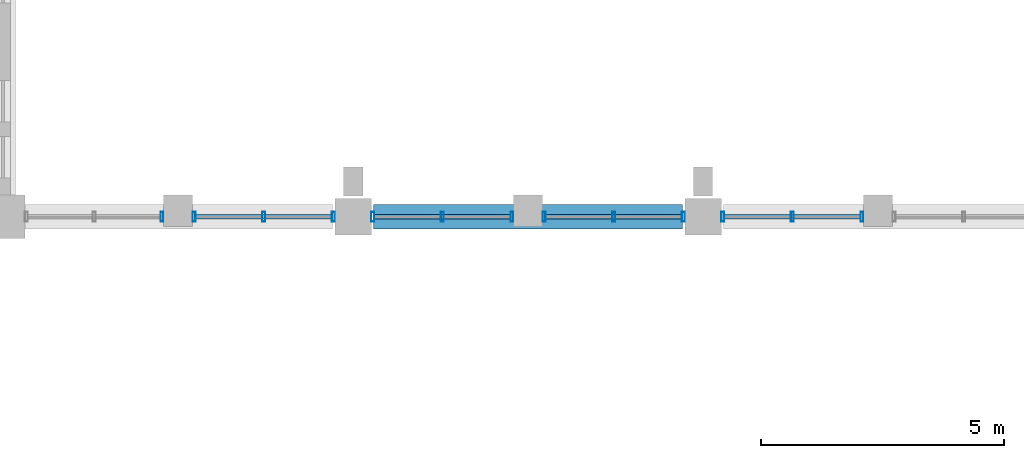
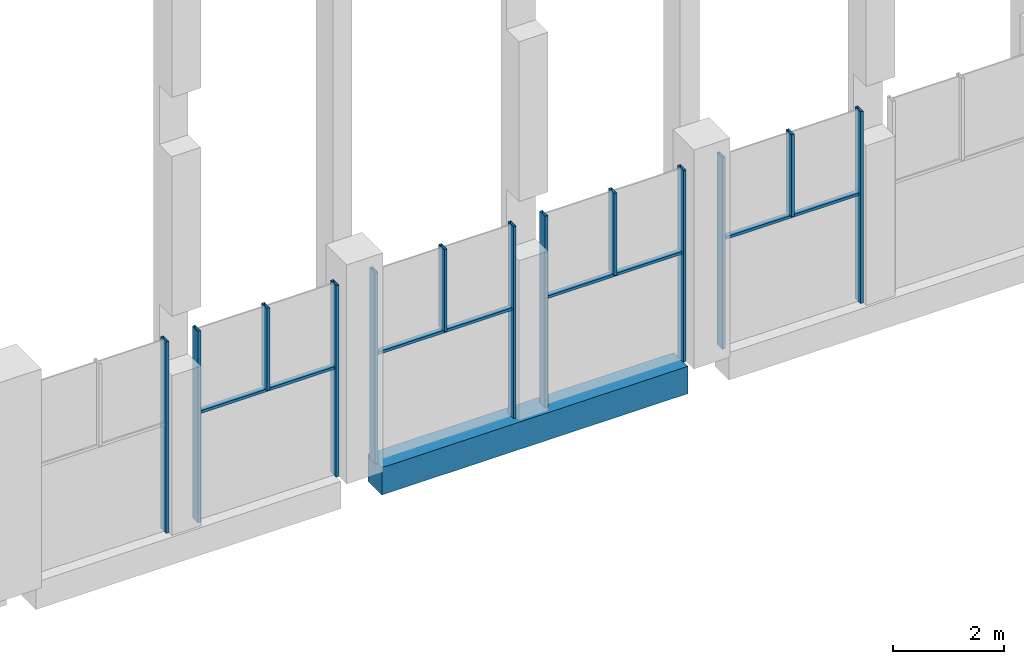
# One storey, part 13 of 40: 17 members, 1 beam, 5 elements without a shape of their own.
"""IFC4 building model written with IfcOpenShell, lengths in metres."""

from ifc_helpers import new_model, si_unit, direction, frame, origin, origin_2d, place, context, subcontext, project, spatial, rectangle, hollow_rectangle, extrude, material, material_profile, profile_set, type_object, element, aggregate, save


model = new_model("IFC4")

# Units and contexts
model_context = context("Model", 3, precision=1e-05, world=origin(), true_north=direction((0.0, 1.0)))
body_context = subcontext(model_context, "Body", "Model", "MODEL_VIEW")
ifc_project = project(units=[si_unit("LENGTHUNIT", "METRE"), si_unit("AREAUNIT", "SQUARE_METRE"), si_unit("VOLUMEUNIT", "CUBIC_METRE"), si_unit("PLANEANGLEUNIT", "RADIAN"), si_unit("MASSUNIT", "GRAM", prefix="KILO")], contexts=[model_context])

# Site, building, storey
site_placement = place(None, origin())
site = spatial("IfcSite", under=ifc_project, at=site_placement, CompositionType="ELEMENT")
building_placement = place(site_placement, origin())
building = spatial("IfcBuilding", under=site, at=building_placement, Name="Silangan Lancet Faculty of Sciences", CompositionType="ELEMENT")
storey_placement = place(building_placement, frame((0.0, 0.0, 21.60009765625)))
storey = spatial("IfcBuildingStorey", under=building, at=storey_placement, Name="L04", CompositionType="ELEMENT", Elevation=21.60009765625)

# Beam
ifc_material_1 = material(Name="Concrete C40/50", Category="concrete")
ifc_material_profile_1 = material_profile(ifc_material_1, rectangle(XDim=0.5, YDim=0.60009765625, at=origin_2d()), Name="RC 500x600")
ifc_profile_set_1 = profile_set([ifc_material_profile_1], Name="Concrete C40/50")
beam_type = type_object("IfcBeamType", Name="BEAM RC 500x600", PredefinedType="BEAM", material=ifc_profile_set_1)
beam_placement = place(storey_placement, frame((36.425048828125, 36.0, -0.300048828125), z_axis=(1.0, 0.0, 0.0), x_axis=(0.0, 1.0, 0.0)))
element("IfcBeam", 1, at=beam_placement, inside=storey, type_object=beam_type, Name="BM-L04-6F-7F", PredefinedType="BEAM", context=body_context, shape_type="SweptSolid", body=[
    extrude(rectangle(XDim=0.5, YDim=0.60009765625, at=origin_2d()), origin(), (0.0, 0.0, 1.0), 6.349853515625),
])

# Curtain wall, members
ifc_material_2 = material(Name="Aluminium framed curtain wall with insulated glass", Category="aluminium")
curtain_wall_type = type_object("IfcCurtainWallType", Name="CW5 Nave north light glazing", PredefinedType="NOTDEFINED", material=ifc_material_2)
curtain_wall_1_placement = place(storey_placement, origin())
curtain_wall_1 = element("IfcCurtainWall", 2, at=curtain_wall_1_placement, inside=storey, type_object=curtain_wall_type, Name="CW5 Nave north lights L04 bay 2", PredefinedType="NOTDEFINED")
ifc_material_3 = material(Name="Aluminium 6063-T6 extrusion", Category="aluminium")
ifc_material_profile_2 = material_profile(ifc_material_3, hollow_rectangle(XDim=0.06005859375, YDim=0.199951171875, WallThickness=0.00390625, at=origin_2d()), Name="AL BOX 60x200x4")
ifc_profile_set_2 = profile_set([ifc_material_profile_2], Name="Aluminium 6063-T6 extrusion")
member_type_1 = type_object("IfcMemberType", Name="CM1 Mullion 60x200", PredefinedType="MULLION", material=ifc_profile_set_2)
member_1_placement = place(storey_placement, frame((46.469970703125, 36.0, 0.0), z_axis=(0.0, 0.0, 1.0), x_axis=(-1.0, 0.0, 0.0)))
member_1 = element("IfcMember", 3, at=member_1_placement, type_object=member_type_1, Name="CW5 Nave north lights L04 bay 2 mullion 1", PredefinedType="MULLION", context=body_context, shape_type="SweptSolid", body=[
    extrude(hollow_rectangle(XDim=0.06005859375, YDim=0.199951171875, WallThickness=0.00390625, at=origin_2d()), origin(), (0.0, 0.0, 1.0), 4.199951171875),
])
member_2_placement = place(storey_placement, frame((43.60498046875, 36.0, 0.0), z_axis=(0.0, 0.0, 1.0), x_axis=(-1.0, 0.0, 0.0)))
member_2 = element("IfcMember", 4, at=member_2_placement, type_object=member_type_1, Name="CW5 Nave north lights L04 bay 2 mullion 2", PredefinedType="MULLION", context=body_context, shape_type="SweptSolid", body=[
    extrude(hollow_rectangle(XDim=0.06005859375, YDim=0.199951171875, WallThickness=0.00390625, at=origin_2d()), origin(), (0.0, 0.0, 1.0), 4.199951171875),
])
member_3_placement = place(storey_placement, frame((45.03759765625, 36.0, 2.39990234375), z_axis=(0.0, 0.0, 1.0), x_axis=(-1.0, 0.0, 0.0)))
member_3 = element("IfcMember", 5, at=member_3_placement, type_object=member_type_1, Name="CW5 Nave north lights L04 bay 2 mullion 3", PredefinedType="MULLION", context=body_context, shape_type="SweptSolid", body=[
    extrude(hollow_rectangle(XDim=0.06005859375, YDim=0.199951171875, WallThickness=0.00390625, at=origin_2d()), origin(), (0.0, 0.0, 1.0), 1.800048828125),
])

curtain_wall_2_placement = place(storey_placement, origin())
curtain_wall_2 = element("IfcCurtainWall", 6, at=curtain_wall_2_placement, inside=storey, type_object=curtain_wall_type, Name="CW5 Nave north lights L04 bay 3", PredefinedType="NOTDEFINED")
member_4_placement = place(storey_placement, frame((42.794921875, 36.0, 0.0), z_axis=(0.0, 0.0, 1.0), x_axis=(-1.0, 0.0, 0.0)))
member_4 = element("IfcMember", 7, at=member_4_placement, type_object=member_type_1, Name="CW5 Nave north lights L04 bay 3 mullion 1", PredefinedType="MULLION", context=body_context, shape_type="SweptSolid", body=[
    extrude(hollow_rectangle(XDim=0.06005859375, YDim=0.199951171875, WallThickness=0.00390625, at=origin_2d()), origin(), (0.0, 0.0, 1.0), 4.199951171875),
])
member_5_placement = place(storey_placement, frame((39.93017578125, 36.0, 0.0), z_axis=(0.0, 0.0, 1.0), x_axis=(-1.0, 0.0, 0.0)))
member_5 = element("IfcMember", 8, at=member_5_placement, type_object=member_type_1, Name="CW5 Nave north lights L04 bay 3 mullion 2", PredefinedType="MULLION", context=body_context, shape_type="SweptSolid", body=[
    extrude(hollow_rectangle(XDim=0.06005859375, YDim=0.199951171875, WallThickness=0.00390625, at=origin_2d()), origin(), (0.0, 0.0, 1.0), 4.199951171875),
])
member_6_placement = place(storey_placement, frame((41.362548828125, 36.0, 2.39990234375), z_axis=(0.0, 0.0, 1.0), x_axis=(-1.0, 0.0, 0.0)))
member_6 = element("IfcMember", 9, at=member_6_placement, type_object=member_type_1, Name="CW5 Nave north lights L04 bay 3 mullion 3", PredefinedType="MULLION", context=body_context, shape_type="SweptSolid", body=[
    extrude(hollow_rectangle(XDim=0.06005859375, YDim=0.199951171875, WallThickness=0.00390625, at=origin_2d()), origin(), (0.0, 0.0, 1.0), 1.800048828125),
])

curtain_wall_3_placement = place(storey_placement, origin())
curtain_wall_3 = element("IfcCurtainWall", 10, at=curtain_wall_3_placement, inside=storey, type_object=curtain_wall_type, Name="CW5 Nave north lights L04 bay 4", PredefinedType="NOTDEFINED")
member_7_placement = place(storey_placement, frame((39.27001953125, 36.0, 0.0), z_axis=(0.0, 0.0, 1.0), x_axis=(-1.0, 0.0, 0.0)))
member_7 = element("IfcMember", 11, at=member_7_placement, type_object=member_type_1, Name="CW5 Nave north lights L04 bay 4 mullion 1", PredefinedType="MULLION", context=body_context, shape_type="SweptSolid", body=[
    extrude(hollow_rectangle(XDim=0.06005859375, YDim=0.199951171875, WallThickness=0.00390625, at=origin_2d()), origin(), (0.0, 0.0, 1.0), 4.199951171875),
])
member_8_placement = place(storey_placement, frame((36.405029296875, 36.0, 0.0), z_axis=(0.0, 0.0, 1.0), x_axis=(-1.0, 0.0, 0.0)))
member_8 = element("IfcMember", 12, at=member_8_placement, type_object=member_type_1, Name="CW5 Nave north lights L04 bay 4 mullion 2", PredefinedType="MULLION", context=body_context, shape_type="SweptSolid", body=[
    extrude(hollow_rectangle(XDim=0.06005859375, YDim=0.199951171875, WallThickness=0.00390625, at=origin_2d()), origin(), (0.0, 0.0, 1.0), 4.199951171875),
])
member_9_placement = place(storey_placement, frame((37.837646484375, 36.0, 2.39990234375), z_axis=(0.0, 0.0, 1.0), x_axis=(-1.0, 0.0, 0.0)))
member_9 = element("IfcMember", 13, at=member_9_placement, type_object=member_type_1, Name="CW5 Nave north lights L04 bay 4 mullion 3", PredefinedType="MULLION", context=body_context, shape_type="SweptSolid", body=[
    extrude(hollow_rectangle(XDim=0.06005859375, YDim=0.199951171875, WallThickness=0.00390625, at=origin_2d()), origin(), (0.0, 0.0, 1.0), 1.800048828125),
])

curtain_wall_4_placement = place(storey_placement, origin())
curtain_wall_4 = element("IfcCurtainWall", 14, at=curtain_wall_4_placement, inside=storey, type_object=curtain_wall_type, Name="CW5 Nave north lights L04 bay 5", PredefinedType="NOTDEFINED")
member_10_placement = place(storey_placement, frame((35.594970703125, 36.0, 0.0), z_axis=(0.0, 0.0, 1.0), x_axis=(-1.0, 0.0, 0.0)))
member_10 = element("IfcMember", 15, at=member_10_placement, type_object=member_type_1, Name="CW5 Nave north lights L04 bay 5 mullion 1", PredefinedType="MULLION", context=body_context, shape_type="SweptSolid", body=[
    extrude(hollow_rectangle(XDim=0.06005859375, YDim=0.199951171875, WallThickness=0.00390625, at=origin_2d()), origin(), (0.0, 0.0, 1.0), 4.199951171875),
])
member_11_placement = place(storey_placement, frame((32.72998046875, 36.0, 0.0), z_axis=(0.0, 0.0, 1.0), x_axis=(-1.0, 0.0, 0.0)))
member_11 = element("IfcMember", 16, at=member_11_placement, type_object=member_type_1, Name="CW5 Nave north lights L04 bay 5 mullion 2", PredefinedType="MULLION", context=body_context, shape_type="SweptSolid", body=[
    extrude(hollow_rectangle(XDim=0.06005859375, YDim=0.199951171875, WallThickness=0.00390625, at=origin_2d()), origin(), (0.0, 0.0, 1.0), 4.199951171875),
])
member_12_placement = place(storey_placement, frame((34.162353515625, 36.0, 2.39990234375), z_axis=(0.0, 0.0, 1.0), x_axis=(-1.0, 0.0, 0.0)))
member_12 = element("IfcMember", 17, at=member_12_placement, type_object=member_type_1, Name="CW5 Nave north lights L04 bay 5 mullion 3", PredefinedType="MULLION", context=body_context, shape_type="SweptSolid", body=[
    extrude(hollow_rectangle(XDim=0.06005859375, YDim=0.199951171875, WallThickness=0.00390625, at=origin_2d()), origin(), (0.0, 0.0, 1.0), 1.800048828125),
])

# Curtain wall, member
curtain_wall_5_placement = place(storey_placement, origin())
curtain_wall_5 = element("IfcCurtainWall", 18, at=curtain_wall_5_placement, inside=storey, type_object=curtain_wall_type, Name="CW5 Nave north lights L04 bay 6", PredefinedType="NOTDEFINED")
member_13_placement = place(storey_placement, frame((32.06982421875, 36.0, 0.0), z_axis=(0.0, 0.0, 1.0), x_axis=(-1.0, 0.0, 0.0)))
member_13 = element("IfcMember", 19, at=member_13_placement, type_object=member_type_1, Name="CW5 Nave north lights L04 bay 6 mullion 1", PredefinedType="MULLION", context=body_context, shape_type="SweptSolid", body=[
    extrude(hollow_rectangle(XDim=0.06005859375, YDim=0.199951171875, WallThickness=0.00390625, at=origin_2d()), origin(), (0.0, 0.0, 1.0), 4.199951171875),
])
aggregate(curtain_wall_5, [member_13])

# Member
ifc_material_4 = material(Name="Aluminium 6063-T6 extrusion", Category="aluminium")
ifc_material_profile_3 = material_profile(ifc_material_4, hollow_rectangle(XDim=0.10009765625, YDim=0.06005859375, WallThickness=0.0029296875, at=origin_2d()), Name="AL BOX 100x60x3")
ifc_profile_set_3 = profile_set([ifc_material_profile_3], Name="Aluminium 6063-T6 extrusion")
member_type_2 = type_object("IfcMemberType", Name="CT1 Transom 100x60", PredefinedType="USERDEFINED", material=ifc_profile_set_3)
member_14_placement = place(storey_placement, frame((46.43994140625, 36.0, 2.369873046875), z_axis=(-1.0, 0.0, 0.0), x_axis=(0.0, -1.0, 0.0)))
member_14 = element("IfcMember", 20, at=member_14_placement, type_object=member_type_2, Name="CW5 Nave north lights L04 bay 2 transom 1", ObjectType="TRANSOM", PredefinedType="USERDEFINED", context=body_context, shape_type="SweptSolid", body=[
    extrude(hollow_rectangle(XDim=0.10009765625, YDim=0.06005859375, WallThickness=0.0029296875, at=origin_2d()), origin(), (0.0, 0.0, 1.0), 2.804931640625),
])

aggregate(curtain_wall_1, [member_1, member_2, member_3, member_14])

member_15_placement = place(storey_placement, frame((42.764892578125, 36.0, 2.369873046875), z_axis=(-1.0, 0.0, 0.0), x_axis=(0.0, -1.0, 0.0)))
member_15 = element("IfcMember", 21, at=member_15_placement, type_object=member_type_2, Name="CW5 Nave north lights L04 bay 3 transom 1", ObjectType="TRANSOM", PredefinedType="USERDEFINED", context=body_context, shape_type="SweptSolid", body=[
    extrude(hollow_rectangle(XDim=0.10009765625, YDim=0.06005859375, WallThickness=0.0029296875, at=origin_2d()), origin(), (0.0, 0.0, 1.0), 2.8046875),
])

aggregate(curtain_wall_2, [member_4, member_5, member_6, member_15])

member_16_placement = place(storey_placement, frame((39.239990234375, 36.0, 2.369873046875), z_axis=(-1.0, 0.0, 0.0), x_axis=(0.0, -1.0, 0.0)))
member_16 = element("IfcMember", 22, at=member_16_placement, type_object=member_type_2, Name="CW5 Nave north lights L04 bay 4 transom 1", ObjectType="TRANSOM", PredefinedType="USERDEFINED", context=body_context, shape_type="SweptSolid", body=[
    extrude(hollow_rectangle(XDim=0.10009765625, YDim=0.06005859375, WallThickness=0.0029296875, at=origin_2d()), origin(), (0.0, 0.0, 1.0), 2.804931640625),
])

aggregate(curtain_wall_3, [member_7, member_8, member_9, member_16])

member_17_placement = place(storey_placement, frame((35.56494140625, 36.0, 2.369873046875), z_axis=(-1.0, 0.0, 0.0), x_axis=(0.0, -1.0, 0.0)))
member_17 = element("IfcMember", 23, at=member_17_placement, type_object=member_type_2, Name="CW5 Nave north lights L04 bay 5 transom 1", ObjectType="TRANSOM", PredefinedType="USERDEFINED", context=body_context, shape_type="SweptSolid", body=[
    extrude(hollow_rectangle(XDim=0.10009765625, YDim=0.06005859375, WallThickness=0.0029296875, at=origin_2d()), origin(), (0.0, 0.0, 1.0), 2.804931640625),
])

aggregate(curtain_wall_4, [member_10, member_11, member_12, member_17])

save(model, "model.ifc")
